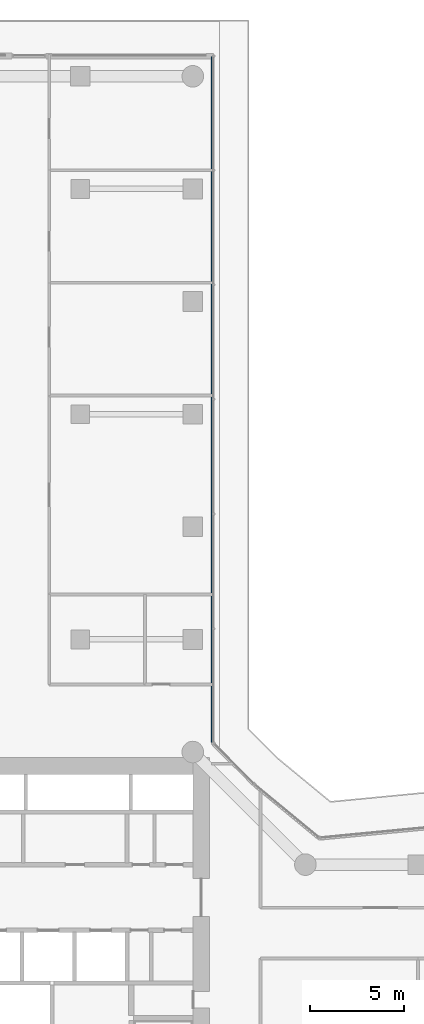
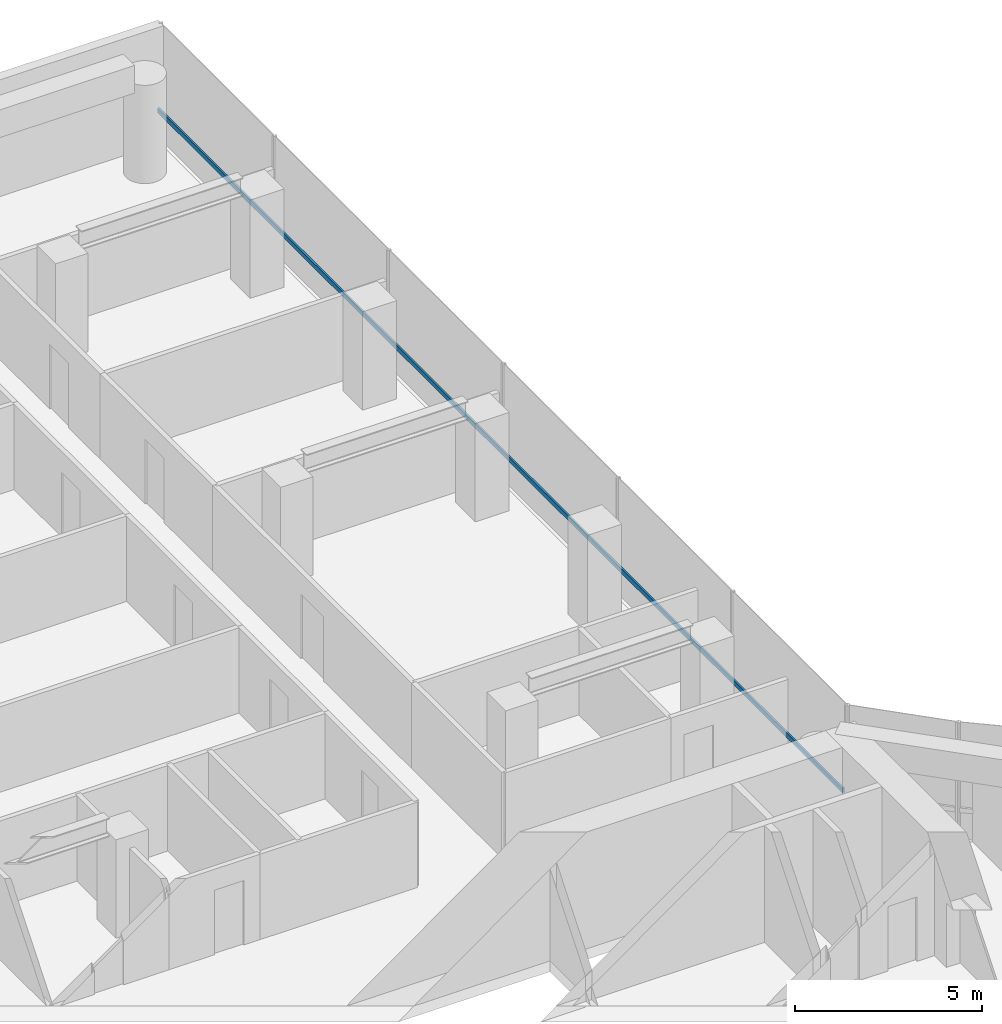
# One storey, part 17 of 30: 1 member, 1 element without a shape of its own.
"""IFC4 building model written with IfcOpenShell, lengths in metres."""

from ifc_helpers import new_model, si_unit, direction, frame, origin, origin_2d, place, context, subcontext, project, spatial, rectangle, extrude, material, layer, layer_set, material_profile, profile_set, type_object, element, aggregate, save


model = new_model("IFC4")

# Units and contexts
model_context = context("Model", 3, precision=1e-05, world=origin(), true_north=direction((0.0, 1.0)))
body_context = subcontext(model_context, "Body", "Model", "MODEL_VIEW")
ifc_project = project(units=[si_unit("LENGTHUNIT", "METRE"), si_unit("AREAUNIT", "SQUARE_METRE"), si_unit("VOLUMEUNIT", "CUBIC_METRE"), si_unit("PLANEANGLEUNIT", "RADIAN"), si_unit("MASSUNIT", "GRAM", prefix="KILO")], contexts=[model_context])

# Site, building, storey
site_placement = place(None, origin())
site = spatial("IfcSite", under=ifc_project, at=site_placement, CompositionType="ELEMENT")
building_placement = place(site_placement, origin())
building = spatial("IfcBuilding", under=site, at=building_placement, Name="Welwitschia Terrace Campus", CompositionType="ELEMENT")
storey_placement = place(building_placement, frame((0.0, 0.0, 75.199951171875)))
storey = spatial("IfcBuildingStorey", under=building, at=storey_placement, Name="L17", CompositionType="ELEMENT", Elevation=75.199951171875)

# Curtain wall, member
ifc_material_1 = material(Name="Bronze anodised aluminium", Category="aluminium")
ifc_layer = layer(ifc_material_1, 0.1201171875)
ifc_layer_set = layer_set([ifc_layer], Name="Bronze anodised aluminium")
curtain_wall_type = type_object("IfcCurtainWallType", Name="Curtain wall CW2 tower 6000", PredefinedType="NOTDEFINED", material=ifc_layer_set)
curtain_wall_placement = place(storey_placement, origin())
curtain_wall = element("IfcCurtainWall", 1, at=curtain_wall_placement, inside=storey, type_object=curtain_wall_type, Name="CW L17.12.0", PredefinedType="NOTDEFINED")
ifc_material_2 = material(Name="Bronze anodised aluminium", Category="aluminium")
ifc_material_profile = material_profile(ifc_material_2, rectangle(XDim=0.06005859375, YDim=0.14990234375, at=origin_2d()))
ifc_profile_set = profile_set([ifc_material_profile], Name="Bronze anodised aluminium")
member_type = type_object("IfcMemberType", Name="Transom 60x150", PredefinedType="USERDEFINED", material=ifc_profile_set)
member_placement = place(storey_placement, frame((25.02392578125, 26.521484375, 1.0), z_axis=(0.0, 1.0, 0.0), x_axis=(-1.0, 0.0, 0.0)))
member = element("IfcMember", 2, at=member_placement, type_object=member_type, Name="Transom L17.12.0", ObjectType="TRANSOM", PredefinedType="USERDEFINED", context=body_context, shape_type="SweptSolid", body=[
    extrude(rectangle(XDim=0.06005859375, YDim=0.14990234375, at=origin_2d()), origin(), (0.0, 0.0, 1.0), 36.532470703125),
])
aggregate(curtain_wall, [member])

save(model, "model.ifc")
